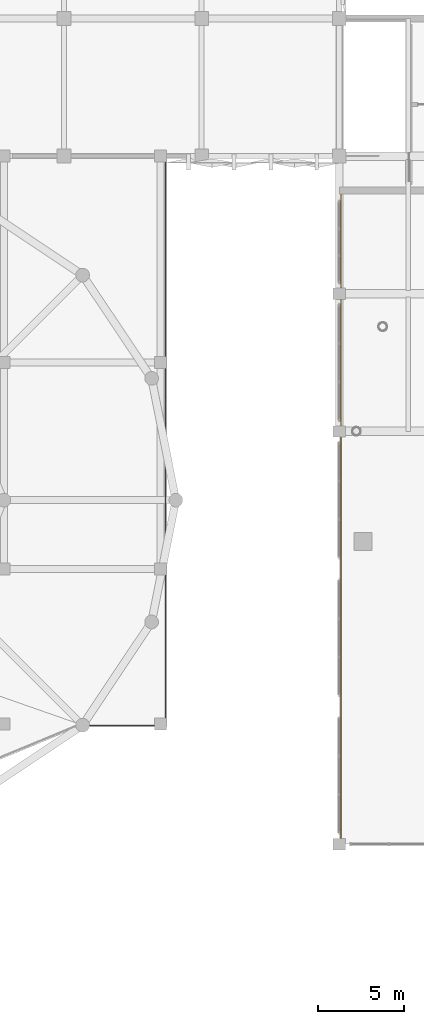
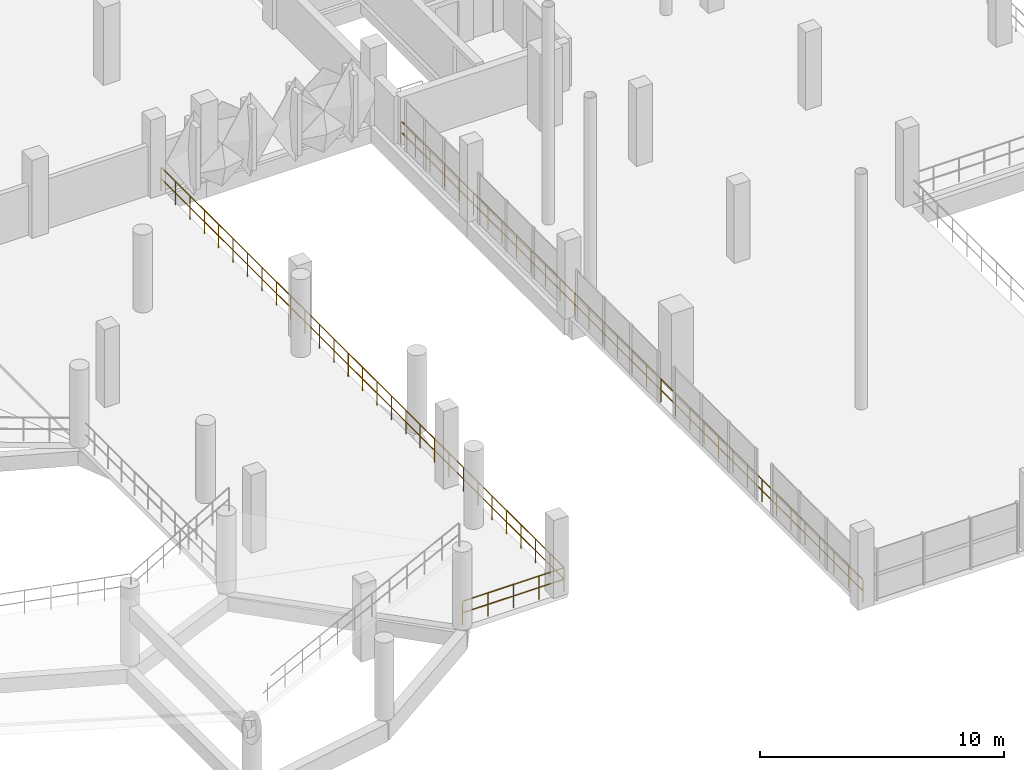
# One storey, part 108 of 123: 2 railings.
"""IFC4 building model written with IfcOpenShell, lengths in metres."""

from ifc_helpers import new_model, si_unit, derived_unit, direction, frame, origin, origin_2d, place, context, subcontext, project, spatial, circle, extrude, material, type_object, element, save


model = new_model("IFC4")

# Units and contexts
model_context = context("Model", 3, precision=1e-05, world=origin(), true_north=direction((0.0, 1.0)))
body_context = subcontext(model_context, "Body", "Model", "MODEL_VIEW")
ifc_project = project(units=[si_unit("LENGTHUNIT", "METRE"), si_unit("AREAUNIT", "SQUARE_METRE"), si_unit("VOLUMEUNIT", "CUBIC_METRE"), si_unit("PLANEANGLEUNIT", "RADIAN"), si_unit("MASSUNIT", "GRAM", prefix="KILO"), si_unit("THERMODYNAMICTEMPERATUREUNIT", "KELVIN"), derived_unit("THERMALTRANSMITTANCEUNIT", [(si_unit("POWERUNIT", "WATT"), 1), (si_unit("AREAUNIT", "SQUARE_METRE"), -1), (si_unit("THERMODYNAMICTEMPERATUREUNIT", "KELVIN"), -1)])], contexts=[model_context])

# Site, building, storey
site_placement = place(None, origin())
site = spatial("IfcSite", under=ifc_project, at=site_placement, CompositionType="ELEMENT")
building_placement = place(site_placement, origin())
building = spatial("IfcBuilding", under=site, at=building_placement, Name="Haiyu Intermodal Mobility Hub", CompositionType="ELEMENT")
storey_placement = place(building_placement, frame((0.0, 0.0, 5.60009765625)))
storey = spatial("IfcBuildingStorey", under=building, at=storey_placement, Name="L01", CompositionType="ELEMENT", Elevation=5.60009765625)

# Railings
ifc_material = material(Name="Steel Q355C", Category="steel")
railing_type_1 = type_object("IfcRailingType", Name="RAL-GR01", PredefinedType="GUARDRAIL", material=ifc_material)
railing_1_placement = place(storey_placement, frame((47.10009765625, 46.89990234375, 0.0)))
element("IfcRailing", 1, at=railing_1_placement, inside=storey, type_object=railing_type_1, Name="L01 Ramp Arrival Deck South-East Guard", PredefinedType="GUARDRAIL", context=body_context, shape_type="SweptSolid", body=[
    extrude(circle(Radius=0.02392578125, at=origin_2d()), frame((0.030029296875, 0.0, 1.17578125), z_axis=(1.0, 0.0, 0.0), x_axis=(0.0, 1.0, 0.0)), (0.0, 0.0, 1.0), 4.73974609375),
    extrude(circle(Radius=0.02392578125, at=origin_2d()), frame((0.037353515625, 0.0, 0.60009765625), z_axis=(1.0, 0.0, 0.0), x_axis=(0.0, 1.0, 0.0)), (0.0, 0.0, 1.0), 1.125244140625),
    extrude(circle(Radius=0.02392578125, at=origin_2d()), frame((1.2373046875, 0.0, 0.60009765625), z_axis=(1.0, 0.0, 0.0), x_axis=(0.0, 1.0, 0.0)), (0.0, 0.0, 1.0), 1.125244140625),
    extrude(circle(Radius=0.02392578125, at=origin_2d()), frame((2.437255859375, 0.0, 0.60009765625), z_axis=(1.0, 0.0, 0.0), x_axis=(0.0, 1.0, 0.0)), (0.0, 0.0, 1.0), 1.125244140625),
    extrude(circle(Radius=0.02392578125, at=origin_2d()), frame((3.63720703125, 0.0, 0.60009765625), z_axis=(1.0, 0.0, 0.0), x_axis=(0.0, 1.0, 0.0)), (0.0, 0.0, 1.0), 1.125244140625),
    extrude(circle(Radius=0.02392578125, at=origin_2d()), frame((4.7998046875, 0.030029296875, 1.17578125), z_axis=(0.0, 1.0, 0.0), x_axis=(-1.0, 0.0, 0.0)), (0.0, 0.0, 1.0), 32.9599609375),
    extrude(circle(Radius=0.02392578125, at=origin_2d()), frame((4.7998046875, 0.037353515625, 0.60009765625), z_axis=(0.0, 1.0, 0.0), x_axis=(-1.0, 0.0, 0.0)), (0.0, 0.0, 1.0), 1.104736328125),
    extrude(circle(Radius=0.02392578125, at=origin_2d()), frame((4.7998046875, 1.216552734375, 0.60009765625), z_axis=(0.0, 1.0, 0.0), x_axis=(-1.0, 0.0, 0.0)), (0.0, 0.0, 1.0), 1.104736328125),
    extrude(circle(Radius=0.02392578125, at=origin_2d()), frame((4.7998046875, 2.395751953125, 0.60009765625), z_axis=(0.0, 1.0, 0.0), x_axis=(-1.0, 0.0, 0.0)), (0.0, 0.0, 1.0), 1.104736328125),
    extrude(circle(Radius=0.02392578125, at=origin_2d()), frame((4.7998046875, 3.5751953125, 0.60009765625), z_axis=(0.0, 1.0, 0.0), x_axis=(-1.0, 0.0, 0.0)), (0.0, 0.0, 1.0), 1.104736328125),
    extrude(circle(Radius=0.02392578125, at=origin_2d()), frame((4.7998046875, 4.75439453125, 0.60009765625), z_axis=(0.0, 1.0, 0.0), x_axis=(-1.0, 0.0, 0.0)), (0.0, 0.0, 1.0), 1.104736328125),
    extrude(circle(Radius=0.02392578125, at=origin_2d()), frame((4.7998046875, 5.933837890625, 0.60009765625), z_axis=(0.0, 1.0, 0.0), x_axis=(-1.0, 0.0, 0.0)), (0.0, 0.0, 1.0), 1.104736328125),
    extrude(circle(Radius=0.02392578125, at=origin_2d()), frame((4.7998046875, 7.113037109375, 0.60009765625), z_axis=(0.0, 1.0, 0.0), x_axis=(-1.0, 0.0, 0.0)), (0.0, 0.0, 1.0), 1.104736328125),
    extrude(circle(Radius=0.02392578125, at=origin_2d()), frame((4.7998046875, 8.292236328125, 0.60009765625), z_axis=(0.0, 1.0, 0.0), x_axis=(-1.0, 0.0, 0.0)), (0.0, 0.0, 1.0), 1.104736328125),
    extrude(circle(Radius=0.02392578125, at=origin_2d()), frame((4.7998046875, 9.4716796875, 0.60009765625), z_axis=(0.0, 1.0, 0.0), x_axis=(-1.0, 0.0, 0.0)), (0.0, 0.0, 1.0), 1.104736328125),
    extrude(circle(Radius=0.02392578125, at=origin_2d()), frame((4.7998046875, 10.65087890625, 0.60009765625), z_axis=(0.0, 1.0, 0.0), x_axis=(-1.0, 0.0, 0.0)), (0.0, 0.0, 1.0), 1.104736328125),
    extrude(circle(Radius=0.02392578125, at=origin_2d()), frame((4.7998046875, 11.830078125, 0.60009765625), z_axis=(0.0, 1.0, 0.0), x_axis=(-1.0, 0.0, 0.0)), (0.0, 0.0, 1.0), 1.104736328125),
    extrude(circle(Radius=0.02392578125, at=origin_2d()), frame((4.7998046875, 13.009521484375, 0.60009765625), z_axis=(0.0, 1.0, 0.0), x_axis=(-1.0, 0.0, 0.0)), (0.0, 0.0, 1.0), 1.104736328125),
    extrude(circle(Radius=0.02392578125, at=origin_2d()), frame((4.7998046875, 14.188720703125, 0.60009765625), z_axis=(0.0, 1.0, 0.0), x_axis=(-1.0, 0.0, 0.0)), (0.0, 0.0, 1.0), 1.104736328125),
    extrude(circle(Radius=0.02392578125, at=origin_2d()), frame((4.7998046875, 15.367919921875, 0.60009765625), z_axis=(0.0, 1.0, 0.0), x_axis=(-1.0, 0.0, 0.0)), (0.0, 0.0, 1.0), 1.104736328125),
    extrude(circle(Radius=0.02392578125, at=origin_2d()), frame((4.7998046875, 16.54736328125, 0.60009765625), z_axis=(0.0, 1.0, 0.0), x_axis=(-1.0, 0.0, 0.0)), (0.0, 0.0, 1.0), 1.104736328125),
    extrude(circle(Radius=0.02392578125, at=origin_2d()), frame((4.7998046875, 17.7265625, 0.60009765625), z_axis=(0.0, 1.0, 0.0), x_axis=(-1.0, 0.0, 0.0)), (0.0, 0.0, 1.0), 1.104736328125),
    extrude(circle(Radius=0.02392578125, at=origin_2d()), frame((4.7998046875, 18.90576171875, 0.60009765625), z_axis=(0.0, 1.0, 0.0), x_axis=(-1.0, 0.0, 0.0)), (0.0, 0.0, 1.0), 1.104736328125),
    extrude(circle(Radius=0.02392578125, at=origin_2d()), frame((4.7998046875, 20.085205078125, 0.60009765625), z_axis=(0.0, 1.0, 0.0), x_axis=(-1.0, 0.0, 0.0)), (0.0, 0.0, 1.0), 1.104736328125),
    extrude(circle(Radius=0.02392578125, at=origin_2d()), frame((4.7998046875, 21.264404296875, 0.60009765625), z_axis=(0.0, 1.0, 0.0), x_axis=(-1.0, 0.0, 0.0)), (0.0, 0.0, 1.0), 1.104736328125),
    extrude(circle(Radius=0.02392578125, at=origin_2d()), frame((4.7998046875, 22.44384765625, 0.60009765625), z_axis=(0.0, 1.0, 0.0), x_axis=(-1.0, 0.0, 0.0)), (0.0, 0.0, 1.0), 1.104736328125),
    extrude(circle(Radius=0.02392578125, at=origin_2d()), frame((4.7998046875, 23.623046875, 0.60009765625), z_axis=(0.0, 1.0, 0.0), x_axis=(-1.0, 0.0, 0.0)), (0.0, 0.0, 1.0), 1.104736328125),
    extrude(circle(Radius=0.02392578125, at=origin_2d()), frame((4.7998046875, 24.80224609375, 0.60009765625), z_axis=(0.0, 1.0, 0.0), x_axis=(-1.0, 0.0, 0.0)), (0.0, 0.0, 1.0), 1.104736328125),
    extrude(circle(Radius=0.02392578125, at=origin_2d()), frame((4.7998046875, 25.981689453125, 0.60009765625), z_axis=(0.0, 1.0, 0.0), x_axis=(-1.0, 0.0, 0.0)), (0.0, 0.0, 1.0), 1.104736328125),
    extrude(circle(Radius=0.02392578125, at=origin_2d()), frame((4.7998046875, 27.160888671875, 0.60009765625), z_axis=(0.0, 1.0, 0.0), x_axis=(-1.0, 0.0, 0.0)), (0.0, 0.0, 1.0), 1.104736328125),
    extrude(circle(Radius=0.02392578125, at=origin_2d()), frame((4.7998046875, 28.340087890625, 0.60009765625), z_axis=(0.0, 1.0, 0.0), x_axis=(-1.0, 0.0, 0.0)), (0.0, 0.0, 1.0), 1.104736328125),
    extrude(circle(Radius=0.02392578125, at=origin_2d()), frame((4.7998046875, 29.51953125, 0.60009765625), z_axis=(0.0, 1.0, 0.0), x_axis=(-1.0, 0.0, 0.0)), (0.0, 0.0, 1.0), 1.104736328125),
    extrude(circle(Radius=0.02392578125, at=origin_2d()), frame((4.7998046875, 30.69873046875, 0.60009765625), z_axis=(0.0, 1.0, 0.0), x_axis=(-1.0, 0.0, 0.0)), (0.0, 0.0, 1.0), 1.104736328125),
    extrude(circle(Radius=0.02392578125, at=origin_2d()), frame((4.7998046875, 31.8779296875, 0.60009765625), z_axis=(0.0, 1.0, 0.0), x_axis=(-1.0, 0.0, 0.0)), (0.0, 0.0, 1.0), 1.104736328125),
    extrude(circle(Radius=0.02099609375, at=origin_2d()), origin(), (0.0, 0.0, 1.0), 1.143798828125),
    extrude(circle(Radius=0.02099609375, at=origin_2d()), frame((1.199951171875, 0.0, 0.0)), (0.0, 0.0, 1.0), 1.143798828125),
    extrude(circle(Radius=0.02099609375, at=origin_2d()), frame((2.39990234375, 0.0, 0.0)), (0.0, 0.0, 1.0), 1.143798828125),
    extrude(circle(Radius=0.02099609375, at=origin_2d()), frame((3.599853515625, 0.0, 0.0)), (0.0, 0.0, 1.0), 1.143798828125),
    extrude(circle(Radius=0.02099609375, at=origin_2d()), frame((4.7998046875, 0.0, 0.0)), (0.0, 0.0, 1.0), 1.143798828125),
    extrude(circle(Radius=0.02099609375, at=origin_2d()), frame((4.7998046875, 1.17919921875, 0.0)), (0.0, 0.0, 1.0), 1.143798828125),
    extrude(circle(Radius=0.02099609375, at=origin_2d()), frame((4.7998046875, 2.358642578125, 0.0)), (0.0, 0.0, 1.0), 1.143798828125),
    extrude(circle(Radius=0.02099609375, at=origin_2d()), frame((4.7998046875, 3.537841796875, 0.0)), (0.0, 0.0, 1.0), 1.143798828125),
    extrude(circle(Radius=0.02099609375, at=origin_2d()), frame((4.7998046875, 4.717041015625, 0.0)), (0.0, 0.0, 1.0), 1.143798828125),
    extrude(circle(Radius=0.02099609375, at=origin_2d()), frame((4.7998046875, 5.896484375, 0.0)), (0.0, 0.0, 1.0), 1.143798828125),
    extrude(circle(Radius=0.02099609375, at=origin_2d()), frame((4.7998046875, 7.07568359375, 0.0)), (0.0, 0.0, 1.0), 1.143798828125),
    extrude(circle(Radius=0.02099609375, at=origin_2d()), frame((4.7998046875, 8.2548828125, 0.0)), (0.0, 0.0, 1.0), 1.143798828125),
    extrude(circle(Radius=0.02099609375, at=origin_2d()), frame((4.7998046875, 9.434326171875, 0.0)), (0.0, 0.0, 1.0), 1.143798828125),
    extrude(circle(Radius=0.02099609375, at=origin_2d()), frame((4.7998046875, 10.613525390625, 0.0)), (0.0, 0.0, 1.0), 1.143798828125),
    extrude(circle(Radius=0.02099609375, at=origin_2d()), frame((4.7998046875, 11.79296875, 0.0)), (0.0, 0.0, 1.0), 1.143798828125),
    extrude(circle(Radius=0.02099609375, at=origin_2d()), frame((4.7998046875, 12.97216796875, 0.0)), (0.0, 0.0, 1.0), 1.143798828125),
    extrude(circle(Radius=0.02099609375, at=origin_2d()), frame((4.7998046875, 14.1513671875, 0.0)), (0.0, 0.0, 1.0), 1.143798828125),
    extrude(circle(Radius=0.02099609375, at=origin_2d()), frame((4.7998046875, 15.330810546875, 0.0)), (0.0, 0.0, 1.0), 1.143798828125),
    extrude(circle(Radius=0.02099609375, at=origin_2d()), frame((4.7998046875, 16.510009765625, 0.0)), (0.0, 0.0, 1.0), 1.143798828125),
    extrude(circle(Radius=0.02099609375, at=origin_2d()), frame((4.7998046875, 17.689208984375, 0.0)), (0.0, 0.0, 1.0), 1.143798828125),
    extrude(circle(Radius=0.02099609375, at=origin_2d()), frame((4.7998046875, 18.86865234375, 0.0)), (0.0, 0.0, 1.0), 1.143798828125),
    extrude(circle(Radius=0.02099609375, at=origin_2d()), frame((4.7998046875, 20.0478515625, 0.0)), (0.0, 0.0, 1.0), 1.143798828125),
    extrude(circle(Radius=0.02099609375, at=origin_2d()), frame((4.7998046875, 21.22705078125, 0.0)), (0.0, 0.0, 1.0), 1.143798828125),
    extrude(circle(Radius=0.02099609375, at=origin_2d()), frame((4.7998046875, 22.406494140625, 0.0)), (0.0, 0.0, 1.0), 1.143798828125),
    extrude(circle(Radius=0.02099609375, at=origin_2d()), frame((4.7998046875, 23.585693359375, 0.0)), (0.0, 0.0, 1.0), 1.143798828125),
    extrude(circle(Radius=0.02099609375, at=origin_2d()), frame((4.7998046875, 24.76513671875, 0.0)), (0.0, 0.0, 1.0), 1.143798828125),
    extrude(circle(Radius=0.02099609375, at=origin_2d()), frame((4.7998046875, 25.9443359375, 0.0)), (0.0, 0.0, 1.0), 1.143798828125),
    extrude(circle(Radius=0.02099609375, at=origin_2d()), frame((4.7998046875, 27.12353515625, 0.0)), (0.0, 0.0, 1.0), 1.143798828125),
    extrude(circle(Radius=0.02099609375, at=origin_2d()), frame((4.7998046875, 28.302978515625, 0.0)), (0.0, 0.0, 1.0), 1.143798828125),
    extrude(circle(Radius=0.02099609375, at=origin_2d()), frame((4.7998046875, 29.482177734375, 0.0)), (0.0, 0.0, 1.0), 1.143798828125),
    extrude(circle(Radius=0.02099609375, at=origin_2d()), frame((4.7998046875, 30.661376953125, 0.0)), (0.0, 0.0, 1.0), 1.143798828125),
    extrude(circle(Radius=0.02099609375, at=origin_2d()), frame((4.7998046875, 31.8408203125, 0.0)), (0.0, 0.0, 1.0), 1.143798828125),
    extrude(circle(Radius=0.02099609375, at=origin_2d()), frame((4.7998046875, 33.02001953125, 0.0)), (0.0, 0.0, 1.0), 1.143798828125),
])
railing_type_2 = type_object("IfcRailingType", Name="RAL-GR03", PredefinedType="GUARDRAIL", material=ifc_material)
railing_2_placement = place(storey_placement, frame((62.10009765625, 40.10009765625, 0.0)))
element("IfcRailing", 2, at=railing_2_placement, inside=storey, type_object=railing_type_2, Name="L01 Concourse Mezzanine West Perimeter Guardrail", PredefinedType="GUARDRAIL", context=body_context, shape_type="SweptSolid", body=[
    extrude(circle(Radius=0.02392578125, at=origin_2d()), frame((0.0, 0.030029296875, 1.1259765625), z_axis=(0.0, 1.0, 0.0), x_axis=(-1.0, 0.0, 0.0)), (0.0, 0.0, 1.0), 37.759765625),
    extrude(circle(Radius=0.02392578125, at=origin_2d()), frame((0.0, 0.037353515625, 0.574951171875), z_axis=(0.0, 1.0, 0.0), x_axis=(-1.0, 0.0, 0.0)), (0.0, 0.0, 1.0), 1.107177734375),
    extrude(circle(Radius=0.02392578125, at=origin_2d()), frame((0.0, 1.21923828125, 0.574951171875), z_axis=(0.0, 1.0, 0.0), x_axis=(-1.0, 0.0, 0.0)), (0.0, 0.0, 1.0), 1.107177734375),
    extrude(circle(Radius=0.02392578125, at=origin_2d()), frame((0.0, 2.401123046875, 0.574951171875), z_axis=(0.0, 1.0, 0.0), x_axis=(-1.0, 0.0, 0.0)), (0.0, 0.0, 1.0), 1.107177734375),
    extrude(circle(Radius=0.02392578125, at=origin_2d()), frame((0.0, 3.5830078125, 0.574951171875), z_axis=(0.0, 1.0, 0.0), x_axis=(-1.0, 0.0, 0.0)), (0.0, 0.0, 1.0), 1.107177734375),
    extrude(circle(Radius=0.02392578125, at=origin_2d()), frame((0.0, 4.764892578125, 0.574951171875), z_axis=(0.0, 1.0, 0.0), x_axis=(-1.0, 0.0, 0.0)), (0.0, 0.0, 1.0), 1.107177734375),
    extrude(circle(Radius=0.02392578125, at=origin_2d()), frame((0.0, 5.946533203125, 0.574951171875), z_axis=(0.0, 1.0, 0.0), x_axis=(-1.0, 0.0, 0.0)), (0.0, 0.0, 1.0), 1.107177734375),
    extrude(circle(Radius=0.02392578125, at=origin_2d()), frame((0.0, 7.12841796875, 0.574951171875), z_axis=(0.0, 1.0, 0.0), x_axis=(-1.0, 0.0, 0.0)), (0.0, 0.0, 1.0), 1.107177734375),
    extrude(circle(Radius=0.02392578125, at=origin_2d()), frame((0.0, 8.310302734375, 0.574951171875), z_axis=(0.0, 1.0, 0.0), x_axis=(-1.0, 0.0, 0.0)), (0.0, 0.0, 1.0), 1.107177734375),
    extrude(circle(Radius=0.02392578125, at=origin_2d()), frame((0.0, 9.4921875, 0.574951171875), z_axis=(0.0, 1.0, 0.0), x_axis=(-1.0, 0.0, 0.0)), (0.0, 0.0, 1.0), 1.107177734375),
    extrude(circle(Radius=0.02392578125, at=origin_2d()), frame((0.0, 10.674072265625, 0.574951171875), z_axis=(0.0, 1.0, 0.0), x_axis=(-1.0, 0.0, 0.0)), (0.0, 0.0, 1.0), 1.107177734375),
    extrude(circle(Radius=0.02392578125, at=origin_2d()), frame((0.0, 11.85595703125, 0.574951171875), z_axis=(0.0, 1.0, 0.0), x_axis=(-1.0, 0.0, 0.0)), (0.0, 0.0, 1.0), 1.107177734375),
    extrude(circle(Radius=0.02392578125, at=origin_2d()), frame((0.0, 13.037841796875, 0.574951171875), z_axis=(0.0, 1.0, 0.0), x_axis=(-1.0, 0.0, 0.0)), (0.0, 0.0, 1.0), 1.107177734375),
    extrude(circle(Radius=0.02392578125, at=origin_2d()), frame((0.0, 14.2197265625, 0.574951171875), z_axis=(0.0, 1.0, 0.0), x_axis=(-1.0, 0.0, 0.0)), (0.0, 0.0, 1.0), 1.107177734375),
    extrude(circle(Radius=0.02392578125, at=origin_2d()), frame((0.0, 15.401611328125, 0.574951171875), z_axis=(0.0, 1.0, 0.0), x_axis=(-1.0, 0.0, 0.0)), (0.0, 0.0, 1.0), 1.107177734375),
    extrude(circle(Radius=0.02392578125, at=origin_2d()), frame((0.0, 16.58349609375, 0.574951171875), z_axis=(0.0, 1.0, 0.0), x_axis=(-1.0, 0.0, 0.0)), (0.0, 0.0, 1.0), 1.107177734375),
    extrude(circle(Radius=0.02392578125, at=origin_2d()), frame((0.0, 17.765380859375, 0.574951171875), z_axis=(0.0, 1.0, 0.0), x_axis=(-1.0, 0.0, 0.0)), (0.0, 0.0, 1.0), 1.107177734375),
    extrude(circle(Radius=0.02392578125, at=origin_2d()), frame((0.0, 18.947265625, 0.574951171875), z_axis=(0.0, 1.0, 0.0), x_axis=(-1.0, 0.0, 0.0)), (0.0, 0.0, 1.0), 1.107177734375),
    extrude(circle(Radius=0.02392578125, at=origin_2d()), frame((0.0, 20.129150390625, 0.574951171875), z_axis=(0.0, 1.0, 0.0), x_axis=(-1.0, 0.0, 0.0)), (0.0, 0.0, 1.0), 1.107177734375),
    extrude(circle(Radius=0.02392578125, at=origin_2d()), frame((0.0, 21.31103515625, 0.574951171875), z_axis=(0.0, 1.0, 0.0), x_axis=(-1.0, 0.0, 0.0)), (0.0, 0.0, 1.0), 1.107177734375),
    extrude(circle(Radius=0.02392578125, at=origin_2d()), frame((0.0, 22.492919921875, 0.574951171875), z_axis=(0.0, 1.0, 0.0), x_axis=(-1.0, 0.0, 0.0)), (0.0, 0.0, 1.0), 1.107177734375),
    extrude(circle(Radius=0.02392578125, at=origin_2d()), frame((0.0, 23.6748046875, 0.574951171875), z_axis=(0.0, 1.0, 0.0), x_axis=(-1.0, 0.0, 0.0)), (0.0, 0.0, 1.0), 1.107177734375),
    extrude(circle(Radius=0.02392578125, at=origin_2d()), frame((0.0, 24.8564453125, 0.574951171875), z_axis=(0.0, 1.0, 0.0), x_axis=(-1.0, 0.0, 0.0)), (0.0, 0.0, 1.0), 1.107177734375),
    extrude(circle(Radius=0.02392578125, at=origin_2d()), frame((0.0, 26.038330078125, 0.574951171875), z_axis=(0.0, 1.0, 0.0), x_axis=(-1.0, 0.0, 0.0)), (0.0, 0.0, 1.0), 1.107177734375),
    extrude(circle(Radius=0.02392578125, at=origin_2d()), frame((0.0, 27.22021484375, 0.574951171875), z_axis=(0.0, 1.0, 0.0), x_axis=(-1.0, 0.0, 0.0)), (0.0, 0.0, 1.0), 1.107177734375),
    extrude(circle(Radius=0.02392578125, at=origin_2d()), frame((0.0, 28.402099609375, 0.574951171875), z_axis=(0.0, 1.0, 0.0), x_axis=(-1.0, 0.0, 0.0)), (0.0, 0.0, 1.0), 1.107177734375),
    extrude(circle(Radius=0.02392578125, at=origin_2d()), frame((0.0, 29.583984375, 0.574951171875), z_axis=(0.0, 1.0, 0.0), x_axis=(-1.0, 0.0, 0.0)), (0.0, 0.0, 1.0), 1.107177734375),
    extrude(circle(Radius=0.02392578125, at=origin_2d()), frame((0.0, 30.765869140625, 0.574951171875), z_axis=(0.0, 1.0, 0.0), x_axis=(-1.0, 0.0, 0.0)), (0.0, 0.0, 1.0), 1.107177734375),
    extrude(circle(Radius=0.02392578125, at=origin_2d()), frame((0.0, 31.94775390625, 0.574951171875), z_axis=(0.0, 1.0, 0.0), x_axis=(-1.0, 0.0, 0.0)), (0.0, 0.0, 1.0), 1.107177734375),
    extrude(circle(Radius=0.02392578125, at=origin_2d()), frame((0.0, 33.129638671875, 0.574951171875), z_axis=(0.0, 1.0, 0.0), x_axis=(-1.0, 0.0, 0.0)), (0.0, 0.0, 1.0), 1.107177734375),
    extrude(circle(Radius=0.02392578125, at=origin_2d()), frame((0.0, 34.3115234375, 0.574951171875), z_axis=(0.0, 1.0, 0.0), x_axis=(-1.0, 0.0, 0.0)), (0.0, 0.0, 1.0), 1.107177734375),
    extrude(circle(Radius=0.02392578125, at=origin_2d()), frame((0.0, 35.493408203125, 0.574951171875), z_axis=(0.0, 1.0, 0.0), x_axis=(-1.0, 0.0, 0.0)), (0.0, 0.0, 1.0), 1.107177734375),
    extrude(circle(Radius=0.02392578125, at=origin_2d()), frame((0.0, 36.67529296875, 0.574951171875), z_axis=(0.0, 1.0, 0.0), x_axis=(-1.0, 0.0, 0.0)), (0.0, 0.0, 1.0), 1.107177734375),
    extrude(circle(Radius=0.02099609375, at=origin_2d()), origin(), (0.0, 0.0, 1.0), 1.09375),
    extrude(circle(Radius=0.02099609375, at=origin_2d()), frame((0.0, 1.181884765625, 0.0)), (0.0, 0.0, 1.0), 1.09375),
    extrude(circle(Radius=0.02099609375, at=origin_2d()), frame((0.0, 2.36376953125, 0.0)), (0.0, 0.0, 1.0), 1.09375),
    extrude(circle(Radius=0.02099609375, at=origin_2d()), frame((0.0, 3.545654296875, 0.0)), (0.0, 0.0, 1.0), 1.09375),
    extrude(circle(Radius=0.02099609375, at=origin_2d()), frame((0.0, 4.7275390625, 0.0)), (0.0, 0.0, 1.0), 1.09375),
    extrude(circle(Radius=0.02099609375, at=origin_2d()), frame((0.0, 5.909423828125, 0.0)), (0.0, 0.0, 1.0), 1.09375),
    extrude(circle(Radius=0.02099609375, at=origin_2d()), frame((0.0, 7.09130859375, 0.0)), (0.0, 0.0, 1.0), 1.09375),
    extrude(circle(Radius=0.02099609375, at=origin_2d()), frame((0.0, 8.273193359375, 0.0)), (0.0, 0.0, 1.0), 1.09375),
    extrude(circle(Radius=0.02099609375, at=origin_2d()), frame((0.0, 9.455078125, 0.0)), (0.0, 0.0, 1.0), 1.09375),
    extrude(circle(Radius=0.02099609375, at=origin_2d()), frame((0.0, 10.63671875, 0.0)), (0.0, 0.0, 1.0), 1.09375),
    extrude(circle(Radius=0.02099609375, at=origin_2d()), frame((0.0, 11.818603515625, 0.0)), (0.0, 0.0, 1.0), 1.09375),
    extrude(circle(Radius=0.02099609375, at=origin_2d()), frame((0.0, 13.00048828125, 0.0)), (0.0, 0.0, 1.0), 1.09375),
    extrude(circle(Radius=0.02099609375, at=origin_2d()), frame((0.0, 14.182373046875, 0.0)), (0.0, 0.0, 1.0), 1.09375),
    extrude(circle(Radius=0.02099609375, at=origin_2d()), frame((0.0, 15.3642578125, 0.0)), (0.0, 0.0, 1.0), 1.09375),
    extrude(circle(Radius=0.02099609375, at=origin_2d()), frame((0.0, 16.546142578125, 0.0)), (0.0, 0.0, 1.0), 1.09375),
    extrude(circle(Radius=0.02099609375, at=origin_2d()), frame((0.0, 17.72802734375, 0.0)), (0.0, 0.0, 1.0), 1.09375),
    extrude(circle(Radius=0.02099609375, at=origin_2d()), frame((0.0, 18.909912109375, 0.0)), (0.0, 0.0, 1.0), 1.09375),
    extrude(circle(Radius=0.02099609375, at=origin_2d()), frame((0.0, 20.091796875, 0.0)), (0.0, 0.0, 1.0), 1.09375),
    extrude(circle(Radius=0.02099609375, at=origin_2d()), frame((0.0, 21.273681640625, 0.0)), (0.0, 0.0, 1.0), 1.09375),
    extrude(circle(Radius=0.02099609375, at=origin_2d()), frame((0.0, 22.45556640625, 0.0)), (0.0, 0.0, 1.0), 1.09375),
    extrude(circle(Radius=0.02099609375, at=origin_2d()), frame((0.0, 23.637451171875, 0.0)), (0.0, 0.0, 1.0), 1.09375),
    extrude(circle(Radius=0.02099609375, at=origin_2d()), frame((0.0, 24.8193359375, 0.0)), (0.0, 0.0, 1.0), 1.09375),
    extrude(circle(Radius=0.02099609375, at=origin_2d()), frame((0.0, 26.001220703125, 0.0)), (0.0, 0.0, 1.0), 1.09375),
    extrude(circle(Radius=0.02099609375, at=origin_2d()), frame((0.0, 27.18310546875, 0.0)), (0.0, 0.0, 1.0), 1.09375),
    extrude(circle(Radius=0.02099609375, at=origin_2d()), frame((0.0, 28.36474609375, 0.0)), (0.0, 0.0, 1.0), 1.09375),
    extrude(circle(Radius=0.02099609375, at=origin_2d()), frame((0.0, 29.546630859375, 0.0)), (0.0, 0.0, 1.0), 1.09375),
    extrude(circle(Radius=0.02099609375, at=origin_2d()), frame((0.0, 30.728515625, 0.0)), (0.0, 0.0, 1.0), 1.09375),
    extrude(circle(Radius=0.02099609375, at=origin_2d()), frame((0.0, 31.910400390625, 0.0)), (0.0, 0.0, 1.0), 1.09375),
    extrude(circle(Radius=0.02099609375, at=origin_2d()), frame((0.0, 33.09228515625, 0.0)), (0.0, 0.0, 1.0), 1.09375),
    extrude(circle(Radius=0.02099609375, at=origin_2d()), frame((0.0, 34.274169921875, 0.0)), (0.0, 0.0, 1.0), 1.09375),
    extrude(circle(Radius=0.02099609375, at=origin_2d()), frame((0.0, 35.4560546875, 0.0)), (0.0, 0.0, 1.0), 1.09375),
    extrude(circle(Radius=0.02099609375, at=origin_2d()), frame((0.0, 36.637939453125, 0.0)), (0.0, 0.0, 1.0), 1.09375),
    extrude(circle(Radius=0.02099609375, at=origin_2d()), frame((0.0, 37.81982421875, 0.0)), (0.0, 0.0, 1.0), 1.09375),
])

save(model, "model.ifc")
